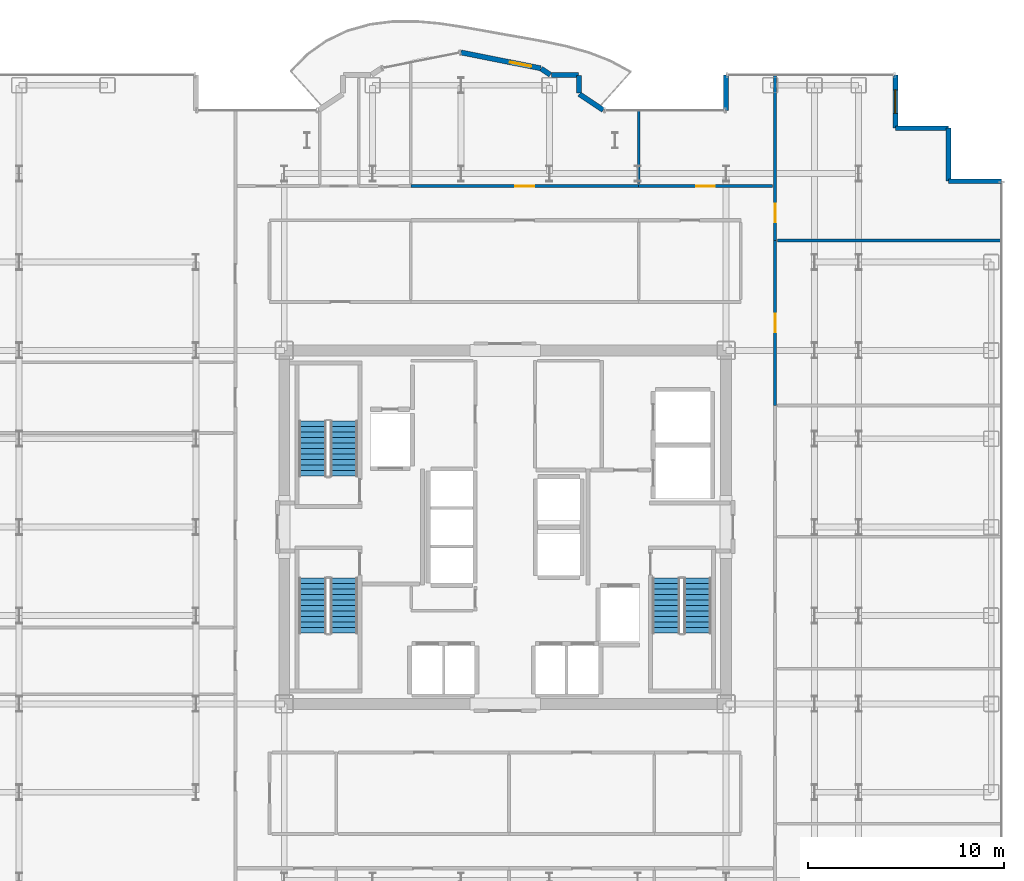
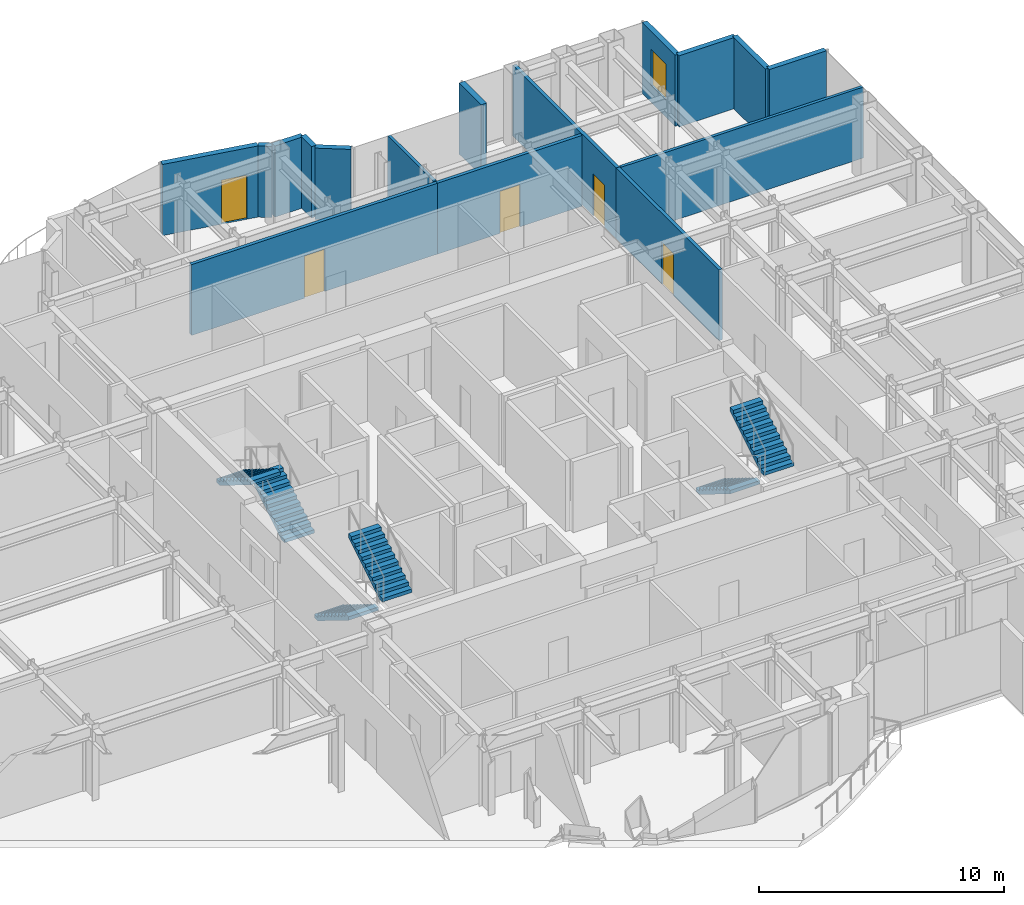
# One storey, part 20 of 23: 16 walls, 6 stair flights, 5 doors, 1 window, 6 openings, 3 elements without a shape of their own.
"""IFC4 building model written with IfcOpenShell, lengths in metres."""

from ifc_helpers import new_model, si_unit, direction, frame, frame_2d, origin, place, context, subcontext, project, spatial, polyline, rectangle, outline, extrude, source, transform, mapped, material, layer, layer_set, type_object, element, fill, aggregate, save


model = new_model("IFC4")

# Units and contexts
model_context = context("Model", 3, precision=1e-05, world=origin(), true_north=direction((0.0, 1.0)))
body_context = subcontext(model_context, "Body", "Model", "MODEL_VIEW")
ifc_project = project(units=[si_unit("LENGTHUNIT", "METRE"), si_unit("AREAUNIT", "SQUARE_METRE"), si_unit("VOLUMEUNIT", "CUBIC_METRE"), si_unit("PLANEANGLEUNIT", "RADIAN"), si_unit("MASSUNIT", "GRAM", prefix="KILO")], contexts=[model_context])

# Site, building, storey
site_placement = place(None, origin())
site = spatial("IfcSite", under=ifc_project, at=site_placement, CompositionType="ELEMENT")
building_placement = place(site_placement, origin())
building = spatial("IfcBuilding", under=site, at=building_placement, Name="Nefas-Gora Pilgrimage Tower", CompositionType="ELEMENT")
storey_placement = place(building_placement, frame((0.0, 0.0, 164.0)))
storey = spatial("IfcBuildingStorey", under=building, at=storey_placement, Name="L40", CompositionType="ELEMENT", Elevation=164.0)

# Walls
ifc_material_1 = material(Name="Precast concrete C40/50", Category="concrete")
ifc_layer_1 = layer(ifc_material_1, 0.260009765625)
ifc_layer_set_1 = layer_set([ifc_layer_1], Name="Precast concrete C40/50")
wall_type_1 = type_object("IfcWallType", Name="EW-PORTAL-260", PredefinedType="SOLIDWALL", material=ifc_layer_set_1)
shared_shape_1 = source(origin(), body_context, "Body", "SweptSolid", [
    extrude(rectangle(XDim=1.800048828125, YDim=0.260009765625, at=frame_2d((0.89990234375, 0.0))), origin(), (0.0, 0.0, 1.0), 3.550048828125),
])
wall_1_placement = place(storey_placement, frame((11.25, 23.02001953125, 0.0), z_axis=(0.0, 0.0, 1.0), x_axis=(0.0, -1.0, 0.0)))
element("IfcWall", 1, at=wall_1_placement, inside=storey, type_object=wall_type_1, Name="L40 Lobe Shoulder Precast Spandrel Pier 10", PredefinedType="SOLIDWALL", context=body_context, shape_type="MappedRepresentation", body=[
    mapped(shared_shape_1, transform((0.0, 0.0, 0.0), x_axis=(1.0, 0.0, 0.0), y_axis=(0.0, 1.0, 0.0), z_axis=(0.0, 0.0, 1.0), scale=1.0)),
])
ifc_material_2 = material(Name="Precast concrete C45/55", Category="concrete")
ifc_layer_2 = layer(ifc_material_2, 0.239990234375)
ifc_layer_set_2 = layer_set([ifc_layer_2], Name="Precast concrete C45/55")
wall_type_2 = type_object("IfcWallType", Name="EW-SERR-240", PredefinedType="SHEAR", material=ifc_layer_set_2)
shared_shape_2 = source(origin(), body_context, "Body", "SweptSolid", [
    extrude(rectangle(XDim=2.699951171875, YDim=0.239990234375, at=frame_2d((1.35009765625, 0.0))), origin(), (0.0, 0.0, 1.0), 3.550048828125),
])
for number, where, z_axis, x_axis, name in (
    (2, (25.27001953125, 17.6201171875, 0.0), (0.0, 0.0, 1.0), (-1.0, 0.0, 0.0), "L40 Serrated Corner Shear Pier Wall 6"),
    (3, (22.570068359375, 17.6201171875, 0.0), (0.0, 0.0, 1.0), (0.0, 1.0, 0.0), "L40 Serrated Corner Shear Pier Wall 7"),
    (4, (22.570068359375, 20.320068359375, 0.0), (0.0, 0.0, 1.0), (-1.0, 0.0, 0.0), "L40 Serrated Corner Shear Pier Wall 8"),
):
    element("IfcWall", number, at=place(storey_placement, frame(where, z_axis=z_axis, x_axis=x_axis)), inside=storey, type_object=wall_type_2, Name=name, PredefinedType="SHEAR", context=body_context, shape_type="MappedRepresentation", body=[
        mapped(shared_shape_2, transform((0.0, 0.0, 0.0), x_axis=(1.0, 0.0, 0.0), y_axis=(0.0, 1.0, 0.0), z_axis=(0.0, 0.0, 1.0), scale=1.0)),
    ])

# Wall, opening, window
wall_2_placement = place(storey_placement, frame((19.8701171875, 20.320068359375, 0.0), z_axis=(0.0, 0.0, 1.0), x_axis=(0.0, 1.0, 0.0)))
wall_2 = element("IfcWall", 5, at=wall_2_placement, inside=storey, type_object=wall_type_2, Name="L40 Serrated Corner Shear Pier Wall 9", PredefinedType="SHEAR", context=body_context, shape_type="MappedRepresentation", body=[
    mapped(shared_shape_2, transform((0.0, 0.0, 0.0), x_axis=(1.0, 0.0, 0.0), y_axis=(0.0, 1.0, 0.0), z_axis=(0.0, 0.0, 1.0), scale=1.0)),
])
opening_1_placement = place(wall_2_placement, frame((0.75, 0.0, 0.85009765625)))
opening_1 = element("IfcOpeningElement", 6, at=opening_1_placement, cuts=wall_2, Name="Opening W-V1", PredefinedType="OPENING", context=body_context, shape_type="SweptSolid", body=[
    extrude(rectangle(XDim=1.199951171875, YDim=1.800048828125, at=frame_2d((0.60009765625, 0.89990234375))), frame((0.0, 0.1298828125, 0.0), z_axis=(0.0, -1.0, 0.0), x_axis=(1.0, 0.0, 0.0)), (0.0, 0.0, 1.0), 0.260009765625),
])
ifc_material_3 = material(Name="Dark ceramic-fritted operable aluminium-glass window", Category="aluminium")
window_type = type_object("IfcWindowType", Name="WIN-VENT-1200x1800", PartitioningType="SINGLE_PANEL", PredefinedType="WINDOW", material=ifc_material_3)
shared_shape_3 = source(origin(), body_context, "Body", "SweptSolid", [
    extrude(rectangle(XDim=1.199951171875, YDim=1.800048828125, at=frame_2d((0.60009765625, 0.89990234375))), frame((0.0, 0.030029296875, 0.0), z_axis=(0.0, -1.0, 0.0), x_axis=(1.0, 0.0, 0.0)), (0.0, 0.0, 1.0), 0.06005859375),
])
window_placement = place(opening_1_placement, origin())
window = element("IfcWindow", 7, at=window_placement, inside=storey, type_object=window_type, Name="L40 Operable Parallel-Outswing Window 9", OverallHeight=1.800048828125, OverallWidth=1.199951171875, PartitioningType="SINGLE_PANEL", PredefinedType="WINDOW", context=body_context, shape_type="MappedRepresentation", body=[
    mapped(shared_shape_3, transform((0.0, 0.0, 0.0), x_axis=(1.0, 0.0, 0.0), y_axis=(0.0, 1.0, 0.0), z_axis=(0.0, 0.0, 1.0), scale=1.0)),
])
fill(opening_1, window)

# Walls
shared_shape_4 = source(origin(), body_context, "Body", "SweptSolid", [
    extrude(rectangle(XDim=1.468994140625, YDim=0.260009765625, at=frame_2d((0.734375, 0.0))), origin(), (0.0, 0.0, 1.0), 3.550048828125),
])
wall_3_placement = place(storey_placement, frame((4.99462890625, 21.235595703125, 0.0), z_axis=(0.0, 0.0, 1.0), x_axis=(-0.831461760506, 0.555581983884, 0.0)))
element("IfcWall", 8, at=wall_3_placement, inside=storey, type_object=wall_type_1, Name="L40 Lobe Shoulder Precast Spandrel Pier 11", PredefinedType="SOLIDWALL", context=body_context, shape_type="MappedRepresentation", body=[
    mapped(shared_shape_4, transform((0.0, 0.0, 0.0), x_axis=(1.0, 0.0, 0.0), y_axis=(0.0, 1.0, 0.0), z_axis=(0.0, 0.0, 1.0), scale=1.0)),
])
shared_shape_5 = source(origin(), body_context, "Body", "SweptSolid", [
    extrude(rectangle(XDim=0.896728515625, YDim=0.260009765625, at=frame_2d((0.4482421875, 0.0))), origin(), (0.0, 0.0, 1.0), 3.550048828125),
])
wall_4_placement = place(storey_placement, frame((3.75, 22.09521484375, 0.0), z_axis=(0.0, 0.0, 1.0), x_axis=(0.0, 1.0, 0.0)))
element("IfcWall", 9, at=wall_4_placement, inside=storey, type_object=wall_type_1, Name="L40 Lobe Shoulder Precast Spandrel Pier 12", PredefinedType="SOLIDWALL", context=body_context, shape_type="MappedRepresentation", body=[
    mapped(shared_shape_5, transform((0.0, 0.0, 0.0), x_axis=(1.0, 0.0, 0.0), y_axis=(0.0, 1.0, 0.0), z_axis=(0.0, 0.0, 1.0), scale=1.0)),
])
shared_shape_6 = source(origin(), body_context, "Body", "SweptSolid", [
    extrude(rectangle(XDim=1.369873046875, YDim=0.260009765625, at=frame_2d((0.68505859375, 0.0))), origin(), (0.0, 0.0, 1.0), 3.550048828125),
])
wall_5_placement = place(storey_placement, frame((3.721923828125, 23.02001953125, 0.0), z_axis=(0.0, 0.0, 1.0), x_axis=(-1.0, 0.0, 0.0)))
element("IfcWall", 10, at=wall_5_placement, inside=storey, type_object=wall_type_1, Name="L40 Lobe Shoulder Precast Spandrel Pier 13", PredefinedType="SOLIDWALL", context=body_context, shape_type="MappedRepresentation", body=[
    mapped(shared_shape_6, transform((0.0, 0.0, 0.0), x_axis=(1.0, 0.0, 0.0), y_axis=(0.0, 1.0, 0.0), z_axis=(0.0, 0.0, 1.0), scale=1.0)),
])
shared_shape_7 = source(origin(), body_context, "Body", "SweptSolid", [
    extrude(rectangle(XDim=0.5654296875, YDim=0.260009765625, at=frame_2d((0.28271484375, 0.0))), origin(), (0.0, 0.0, 1.0), 3.550048828125),
])
wall_6_placement = place(storey_placement, frame((2.30078125, 23.03564453125, 0.0), z_axis=(0.0, 0.0, 1.0), x_axis=(-0.831651492666, 0.555297933317, 0.0)))
element("IfcWall", 11, at=wall_6_placement, inside=storey, type_object=wall_type_1, Name="L40 Lobe Shoulder Precast Spandrel Pier 14", PredefinedType="SOLIDWALL", context=body_context, shape_type="MappedRepresentation", body=[
    mapped(shared_shape_7, transform((0.0, 0.0, 0.0), x_axis=(1.0, 0.0, 0.0), y_axis=(0.0, 1.0, 0.0), z_axis=(0.0, 0.0, 1.0), scale=1.0)),
])

# Wall, opening, door
shared_shape_8 = source(origin(), body_context, "Body", "SweptSolid", [
    extrude(rectangle(XDim=4.136962890625, YDim=0.260009765625, at=frame_2d((2.068359375, 0.0))), origin(), (0.0, 0.0, 1.0), 3.550048828125),
])
wall_7_placement = place(storey_placement, frame((1.807373046875, 23.365234375, 0.0), z_axis=(0.0, 0.0, 1.0), x_axis=(-0.980782170794, 0.195105954428, 0.0)))
wall_7 = element("IfcWall", 12, at=wall_7_placement, inside=storey, type_object=wall_type_1, Name="L40 Insulated Terrace Portal Wall 15", PredefinedType="SOLIDWALL", context=body_context, shape_type="MappedRepresentation", body=[
    mapped(shared_shape_8, transform((0.0, 0.0, 0.0), x_axis=(1.0, 0.0, 0.0), y_axis=(0.0, 1.0, 0.0), z_axis=(0.0, 0.0, 1.0), scale=1.0)),
])
opening_2_placement = place(wall_7_placement, frame((0.48779296875, 0.0, 0.0)))
opening_2 = element("IfcOpeningElement", 13, at=opening_2_placement, cuts=wall_7, Name="Opening ED-B1", PredefinedType="OPENING", context=body_context, shape_type="SweptSolid", body=[
    extrude(rectangle(XDim=1.10009765625, YDim=2.199951171875, at=frame_2d((0.550048828125, 1.10009765625))), frame((0.0, 0.139892578125, 0.0), z_axis=(0.0, -1.0, 0.0), x_axis=(1.0, 0.0, 0.0)), (0.0, 0.0, 1.0), 0.280029296875),
])
ifc_material_4 = material(Name="Thermally broken glazed aluminium balcony door", Category="aluminium")
door_type_1 = type_object("IfcDoorType", Name="DR-EXT-BAL-1100", OperationType="NOTDEFINED", PredefinedType="DOOR", material=ifc_material_4)
shared_shape_9 = source(origin(), body_context, "Body", "SweptSolid", [
    extrude(rectangle(XDim=1.10009765625, YDim=2.199951171875, at=frame_2d((0.550048828125, 1.10009765625))), frame((0.0, 0.02490234375, 0.0), z_axis=(0.0, -1.0, 0.0), x_axis=(1.0, 0.0, 0.0)), (0.0, 0.0, 1.0), 0.050048828125),
])
door_1_placement = place(opening_2_placement, origin())
door_1 = element("IfcDoor", 14, at=door_1_placement, inside=storey, type_object=door_type_1, Name="L40 Exterior Door (L40 N Lobe Wave Balcony)", OperationType="SINGLE_SWING_RIGHT", OverallHeight=2.199951171875, OverallWidth=1.10009765625, PredefinedType="DOOR", context=body_context, shape_type="MappedRepresentation", body=[
    mapped(shared_shape_9, transform((0.0, 0.0, 0.0), x_axis=(1.0, 0.0, 0.0), y_axis=(0.0, 1.0, 0.0), z_axis=(0.0, 0.0, 1.0), scale=1.0)),
])
fill(opening_2, door_1)

ifc_material_5 = material(Name="Gypsum acoustic stud partition")
ifc_layer_3 = layer(ifc_material_5, 0.159912109375)
ifc_layer_set_3 = layer_set([ifc_layer_3], Name="Gypsum acoustic stud partition")
wall_type_3 = type_object("IfcWallType", Name="IW-CORR-160", PredefinedType="PARTITIONING", material=ifc_layer_set_3)
shared_shape_10 = source(origin(), body_context, "Body", "SweptSolid", [
    extrude(rectangle(XDim=6.8251953125, YDim=0.159912109375, at=frame_2d((3.41259765625, 0.0))), origin(), (0.0, 0.0, 1.0), 3.534912109375),
])
wall_8_placement = place(storey_placement, frame((6.794921875, 17.3701171875, 0.0), z_axis=(0.0, 0.0, 1.0), x_axis=(1.0, 0.0, 0.0)))
wall_8 = element("IfcWall", 15, at=wall_8_placement, inside=storey, type_object=wall_type_3, Name="L40 Pilgrim Contemplative Lounge Partition Wall 60", PredefinedType="PARTITIONING", context=body_context, shape_type="MappedRepresentation", body=[
    mapped(shared_shape_10, transform((0.0, 0.0, 0.0), x_axis=(1.0, 0.0, 0.0), y_axis=(0.0, 1.0, 0.0), z_axis=(0.0, 0.0, 1.0), scale=1.0)),
])
opening_3_placement = place(wall_8_placement, frame((2.9375, 0.0, 0.0)))
opening_3 = element("IfcOpeningElement", 16, at=opening_3_placement, cuts=wall_8, Name="Opening ID-GR1", PredefinedType="OPENING", context=body_context, shape_type="SweptSolid", body=[
    extrude(rectangle(XDim=0.949951171875, YDim=2.10009765625, at=frame_2d((0.47509765625, 1.050048828125))), frame((0.0, 0.08984375, 0.0), z_axis=(0.0, -1.0, 0.0), x_axis=(1.0, 0.0, 0.0)), (0.0, 0.0, 1.0), 0.179931640625),
])
ifc_material_6 = material(Name="Solid core oak fire-rated guest entrance door")
door_type_2 = type_object("IfcDoorType", Name="DR-INT-GUEST-950", OperationType="NOTDEFINED", PredefinedType="DOOR", material=ifc_material_6)
shared_shape_11 = source(origin(), body_context, "Body", "SweptSolid", [
    extrude(rectangle(XDim=0.949951171875, YDim=2.10009765625, at=frame_2d((0.47509765625, 1.050048828125))), frame((0.0, 0.02490234375, 0.0), z_axis=(0.0, -1.0, 0.0), x_axis=(1.0, 0.0, 0.0)), (0.0, 0.0, 1.0), 0.050048828125),
])
door_2_placement = place(opening_3_placement, origin())
door_2 = element("IfcDoor", 17, at=door_2_placement, inside=storey, type_object=door_type_2, Name="L40 Pilgrim Contemplative Lounge Door 27", OperationType="SINGLE_SWING_RIGHT", OverallHeight=2.10009765625, OverallWidth=0.949951171875, PredefinedType="DOOR", context=body_context, shape_type="MappedRepresentation", body=[
    mapped(shared_shape_11, transform((0.0, 0.0, 0.0), x_axis=(1.0, 0.0, 0.0), y_axis=(0.0, 1.0, 0.0), z_axis=(0.0, 0.0, 1.0), scale=1.0)),
])
fill(opening_3, door_2)

# Walls
ifc_material_7 = material(Name="Gypsum twin-stud partition")
ifc_layer_4 = layer(ifc_material_7, 0.139892578125)
ifc_layer_set_4 = layer_set([ifc_layer_4], Name="Gypsum twin-stud partition")
wall_type_4 = type_object("IfcWallType", Name="IW-UNIT-140", PredefinedType="PARTITIONING", material=ifc_layer_set_4)
shared_shape_12 = source(origin(), body_context, "Body", "SweptSolid", [
    extrude(rectangle(XDim=11.429931640625, YDim=0.139892578125, at=frame_2d((5.71484375, 0.0))), origin(), (0.0, 0.0, 1.0), 3.534912109375),
])
wall_9_placement = place(storey_placement, frame((13.860107421875, 14.597412109375, 0.0), z_axis=(0.0, 0.0, 1.0), x_axis=(1.0, 0.0, 0.0)))
element("IfcWall", 18, at=wall_9_placement, inside=storey, type_object=wall_type_4, Name="L40 Pilgrim Contemplative Lounge Partition Wall 46", PredefinedType="PARTITIONING", context=body_context, shape_type="MappedRepresentation", body=[
    mapped(shared_shape_12, transform((0.0, 0.0, 0.0), x_axis=(1.0, 0.0, 0.0), y_axis=(0.0, 1.0, 0.0), z_axis=(0.0, 0.0, 1.0), scale=1.0)),
])
shared_shape_13 = source(origin(), body_context, "Body", "SweptSolid", [
    extrude(rectangle(XDim=3.75, YDim=0.139892578125, at=frame_2d((1.875, 0.0))), origin(), (0.0, 0.0, 1.0), 3.534912109375),
])
wall_10_placement = place(storey_placement, frame((6.794921875, 17.489990234375, 0.0), z_axis=(0.0, 0.0, 1.0), x_axis=(0.0, 1.0, 0.0)))
element("IfcWall", 19, at=wall_10_placement, inside=storey, type_object=wall_type_4, Name="L40 Pilgrim Contemplative Lounge Partition Wall 56", PredefinedType="PARTITIONING", context=body_context, shape_type="MappedRepresentation", body=[
    mapped(shared_shape_13, transform((0.0, 0.0, 0.0), x_axis=(1.0, 0.0, 0.0), y_axis=(0.0, 1.0, 0.0), z_axis=(0.0, 0.0, 1.0), scale=1.0)),
])

# Wall, opening, door
shared_shape_14 = source(origin(), body_context, "Body", "SweptSolid", [
    extrude(rectangle(XDim=8.45263671875, YDim=0.159912109375, at=frame_2d((4.226318359375, 0.0))), origin(), (0.0, 0.0, 1.0), 3.534912109375),
])
wall_11_placement = place(storey_placement, frame((13.739990234375, 14.58740234375, 0.0), z_axis=(0.0, 0.0, 1.0), x_axis=(0.0, 1.0, 0.0)))
wall_11 = element("IfcWall", 20, at=wall_11_placement, inside=storey, type_object=wall_type_3, Name="L40 Pilgrim Contemplative Lounge Partition Wall 45", PredefinedType="PARTITIONING", context=body_context, shape_type="MappedRepresentation", body=[
    mapped(shared_shape_14, transform((0.0, 0.0, 0.0), x_axis=(1.0, 0.0, 0.0), y_axis=(0.0, 1.0, 0.0), z_axis=(0.0, 0.0, 1.0), scale=1.0)),
])
opening_4_placement = place(wall_11_placement, frame((0.936279296875, 0.0, 0.0)))
opening_4 = element("IfcOpeningElement", 21, at=opening_4_placement, cuts=wall_11, Name="Opening ID-GR1", PredefinedType="OPENING", context=body_context, shape_type="SweptSolid", body=[
    extrude(rectangle(XDim=0.949951171875, YDim=2.10009765625, at=frame_2d((0.47509765625, 1.050048828125))), frame((0.0, 0.08984375, 0.0), z_axis=(0.0, -1.0, 0.0), x_axis=(1.0, 0.0, 0.0)), (0.0, 0.0, 1.0), 0.179931640625),
])
door_3_placement = place(opening_4_placement, origin())
door_3 = element("IfcDoor", 22, at=door_3_placement, inside=storey, type_object=door_type_2, Name="L40 Pilgrim Contemplative Lounge Door 20", OperationType="SINGLE_SWING_LEFT", OverallHeight=2.10009765625, OverallWidth=0.949951171875, PredefinedType="DOOR", context=body_context, shape_type="MappedRepresentation", body=[
    mapped(shared_shape_11, transform((0.0, 0.0, 0.0), x_axis=(1.0, 0.0, 0.0), y_axis=(0.0, 1.0, 0.0), z_axis=(0.0, 0.0, 1.0), scale=1.0)),
])
fill(opening_4, door_3)

shared_shape_15 = source(origin(), body_context, "Body", "SweptSolid", [
    extrude(rectangle(XDim=8.392333984375, YDim=0.159912109375, at=frame_2d((4.1962890625, 0.0))), origin(), (0.0, 0.0, 1.0), 3.534912109375),
])
wall_12_placement = place(storey_placement, frame((13.739990234375, 6.195068359375, 0.0), z_axis=(0.0, 0.0, 1.0), x_axis=(0.0, 1.0, 0.0)))
wall_12 = element("IfcWall", 23, at=wall_12_placement, inside=storey, type_object=wall_type_3, Name="L40 Pilgrim Contemplative Lounge Partition Wall 47", PredefinedType="PARTITIONING", context=body_context, shape_type="MappedRepresentation", body=[
    mapped(shared_shape_15, transform((0.0, 0.0, 0.0), x_axis=(1.0, 0.0, 0.0), y_axis=(0.0, 1.0, 0.0), z_axis=(0.0, 0.0, 1.0), scale=1.0)),
])
opening_5_placement = place(wall_12_placement, frame((3.72119140625, 0.0, 0.0)))
opening_5 = element("IfcOpeningElement", 24, at=opening_5_placement, cuts=wall_12, Name="Opening ID-GR1", PredefinedType="OPENING", context=body_context, shape_type="SweptSolid", body=[
    extrude(rectangle(XDim=0.949951171875, YDim=2.10009765625, at=frame_2d((0.47509765625, 1.050048828125))), frame((0.0, 0.08984375, 0.0), z_axis=(0.0, -1.0, 0.0), x_axis=(1.0, 0.0, 0.0)), (0.0, 0.0, 1.0), 0.179931640625),
])
door_4_placement = place(opening_5_placement, origin())
door_4 = element("IfcDoor", 25, at=door_4_placement, inside=storey, type_object=door_type_2, Name="L40 Pilgrim Contemplative Lounge Door 21", OperationType="SINGLE_SWING_RIGHT", OverallHeight=2.10009765625, OverallWidth=0.949951171875, PredefinedType="DOOR", context=body_context, shape_type="MappedRepresentation", body=[
    mapped(shared_shape_11, transform((0.0, 0.0, 0.0), x_axis=(1.0, 0.0, 0.0), y_axis=(0.0, 1.0, 0.0), z_axis=(0.0, 0.0, 1.0), scale=1.0)),
])
fill(opening_5, door_4)

shared_shape_16 = source(origin(), body_context, "Body", "SweptSolid", [
    extrude(rectangle(XDim=11.60986328125, YDim=0.159912109375, at=frame_2d((5.804931640625, 0.0))), origin(), (0.0, 0.0, 1.0), 3.534912109375),
])
wall_13_placement = place(storey_placement, frame((-4.804931640625, 17.3701171875, 0.0), z_axis=(0.0, 0.0, 1.0), x_axis=(1.0, 0.0, 0.0)))
wall_13 = element("IfcWall", 26, at=wall_13_placement, inside=storey, type_object=wall_type_3, Name="L40 Pilgrim Contemplative Lounge Partition Wall 55", PredefinedType="PARTITIONING", context=body_context, shape_type="MappedRepresentation", body=[
    mapped(shared_shape_16, transform((0.0, 0.0, 0.0), x_axis=(1.0, 0.0, 0.0), y_axis=(0.0, 1.0, 0.0), z_axis=(0.0, 0.0, 1.0), scale=1.0)),
])
opening_6_placement = place(wall_13_placement, frame((5.330078125, 0.0, 0.0)))
opening_6 = element("IfcOpeningElement", 27, at=opening_6_placement, cuts=wall_13, Name="Opening ID-GR1", PredefinedType="OPENING", context=body_context, shape_type="SweptSolid", body=[
    extrude(rectangle(XDim=0.949951171875, YDim=2.10009765625, at=frame_2d((0.47509765625, 1.050048828125))), frame((0.0, 0.08984375, 0.0), z_axis=(0.0, -1.0, 0.0), x_axis=(1.0, 0.0, 0.0)), (0.0, 0.0, 1.0), 0.179931640625),
])
door_5_placement = place(opening_6_placement, origin())
door_5 = element("IfcDoor", 28, at=door_5_placement, inside=storey, type_object=door_type_2, Name="L40 Pilgrim Contemplative Lounge Door 25", OperationType="SINGLE_SWING_RIGHT", OverallHeight=2.10009765625, OverallWidth=0.949951171875, PredefinedType="DOOR", context=body_context, shape_type="MappedRepresentation", body=[
    mapped(shared_shape_11, transform((0.0, 0.0, 0.0), x_axis=(1.0, 0.0, 0.0), y_axis=(0.0, 1.0, 0.0), z_axis=(0.0, 0.0, 1.0), scale=1.0)),
])
fill(opening_6, door_5)

# Stair, stair flights
ifc_material_8 = material(Name="Concrete C45/55", Category="concrete")
stair_type = type_object("IfcStairType", Name="STR-1400-R1727", PredefinedType="HALF_TURN_STAIR", material=ifc_material_8)
stair_1_placement = place(storey_placement, origin())
stair_1 = element("IfcStair", 29, at=stair_1_placement, inside=storey, type_object=stair_type, Name="L40 Pressurised Tower Exit Stair ST-01", PredefinedType="HALF_TURN_STAIR")
stair_flight_type = type_object("IfcStairFlightType", Name="STF-1400-R1727", PredefinedType="STRAIGHT", material=ifc_material_8)
shared_shape_17 = source(origin(), body_context, "Body", "SweptSolid", [
    extrude(outline(polyline([(0.0, 0.0), (0.0, 0.172607421875), (0.280029296875, 0.172607421875), (0.280029296875, 0.345458984375), (0.56005859375, 0.345458984375), (0.56005859375, 0.51806640625), (0.840087890625, 0.51806640625), (0.840087890625, 0.69091796875), (1.1201171875, 0.69091796875), (1.1201171875, 0.863525390625), (1.39990234375, 0.863525390625), (1.39990234375, 1.036376953125), (1.679931640625, 1.036376953125), (1.679931640625, 1.208984375), (1.9599609375, 1.208984375), (1.9599609375, 1.3818359375), (2.239990234375, 1.3818359375), (2.239990234375, 1.554443359375), (2.52001953125, 1.554443359375), (2.52001953125, 1.727294921875), (2.800048828125, 1.727294921875), (2.800048828125, 1.89990234375), (2.800048828125, 1.551025390625), (0.285400390625, 0.0), (0.0, 0.0)])), frame((0.0, 0.699951171875, 0.0), z_axis=(0.0, -1.0, 0.0), x_axis=(1.0, 0.0, 0.0)), (0.0, 0.0, 1.0), 1.39990234375),
])
stair_flight_1_placement = place(storey_placement, frame((-8.199951171875, 2.60009765625, 0.0), z_axis=(0.0, 0.0, 1.0), x_axis=(0.0, 1.0, 0.0)))
stair_flight_1 = element("IfcStairFlight", 30, at=stair_flight_1_placement, type_object=stair_flight_type, Name="ST-01 flight 1", NumberOfRisers=11, NumberOfTreads=10, PredefinedType="STRAIGHT", RiserHeight=0.172727273, TreadLength=0.28, context=body_context, shape_type="MappedRepresentation", body=[
    mapped(shared_shape_17, transform((0.0, 0.0, 0.0), x_axis=(1.0, 0.0, 0.0), y_axis=(0.0, 1.0, 0.0), z_axis=(0.0, 0.0, 1.0), scale=1.0)),
])
stair_flight_2_placement = place(storey_placement, frame((-9.800048828125, 5.39990234375, 1.89990234375), z_axis=(0.0, 0.0, 1.0), x_axis=(0.0, -1.0, 0.0)))
stair_flight_2 = element("IfcStairFlight", 31, at=stair_flight_2_placement, type_object=stair_flight_type, Name="ST-01 flight 2", NumberOfRisers=11, NumberOfTreads=10, PredefinedType="STRAIGHT", RiserHeight=0.172727273, TreadLength=0.28, context=body_context, shape_type="MappedRepresentation", body=[
    mapped(shared_shape_17, transform((0.0, 0.0, 0.0), x_axis=(1.0, 0.0, 0.0), y_axis=(0.0, 1.0, 0.0), z_axis=(0.0, 0.0, 1.0), scale=1.0)),
])
aggregate(stair_1, [stair_flight_1, stair_flight_2])

stair_2_placement = place(storey_placement, origin())
stair_2 = element("IfcStair", 32, at=stair_2_placement, inside=storey, type_object=stair_type, Name="L40 Pressurised Tower Exit Stair ST-02", PredefinedType="HALF_TURN_STAIR")
stair_flight_3_placement = place(storey_placement, frame((8.199951171875, -2.60009765625, 0.0), z_axis=(0.0, 0.0, 1.0), x_axis=(0.0, -1.0, 0.0)))
stair_flight_3 = element("IfcStairFlight", 33, at=stair_flight_3_placement, type_object=stair_flight_type, Name="ST-02 flight 1", NumberOfRisers=11, NumberOfTreads=10, PredefinedType="STRAIGHT", RiserHeight=0.172727273, TreadLength=0.28, context=body_context, shape_type="MappedRepresentation", body=[
    mapped(shared_shape_17, transform((0.0, 0.0, 0.0), x_axis=(1.0, 0.0, 0.0), y_axis=(0.0, 1.0, 0.0), z_axis=(0.0, 0.0, 1.0), scale=1.0)),
])
stair_flight_4_placement = place(storey_placement, frame((9.800048828125, -5.39990234375, 1.89990234375), z_axis=(0.0, 0.0, 1.0), x_axis=(0.0, 1.0, 0.0)))
stair_flight_4 = element("IfcStairFlight", 34, at=stair_flight_4_placement, type_object=stair_flight_type, Name="ST-02 flight 2", NumberOfRisers=11, NumberOfTreads=10, PredefinedType="STRAIGHT", RiserHeight=0.172727273, TreadLength=0.28, context=body_context, shape_type="MappedRepresentation", body=[
    mapped(shared_shape_17, transform((0.0, 0.0, 0.0), x_axis=(1.0, 0.0, 0.0), y_axis=(0.0, 1.0, 0.0), z_axis=(0.0, 0.0, 1.0), scale=1.0)),
])
aggregate(stair_2, [stair_flight_3, stair_flight_4])

stair_3_placement = place(storey_placement, origin())
stair_3 = element("IfcStair", 35, at=stair_3_placement, inside=storey, type_object=stair_type, Name="L40 Pressurised Tower Exit Stair ST-03", PredefinedType="HALF_TURN_STAIR")
stair_flight_5_placement = place(storey_placement, frame((-9.800048828125, -2.60009765625, 0.0), z_axis=(0.0, 0.0, 1.0), x_axis=(0.0, -1.0, 0.0)))
stair_flight_5 = element("IfcStairFlight", 36, at=stair_flight_5_placement, type_object=stair_flight_type, Name="ST-03 flight 1", NumberOfRisers=11, NumberOfTreads=10, PredefinedType="STRAIGHT", RiserHeight=0.172727273, TreadLength=0.28, context=body_context, shape_type="MappedRepresentation", body=[
    mapped(shared_shape_17, transform((0.0, 0.0, 0.0), x_axis=(1.0, 0.0, 0.0), y_axis=(0.0, 1.0, 0.0), z_axis=(0.0, 0.0, 1.0), scale=1.0)),
])
stair_flight_6_placement = place(storey_placement, frame((-8.199951171875, -5.39990234375, 1.89990234375), z_axis=(0.0, 0.0, 1.0), x_axis=(0.0, 1.0, 0.0)))
stair_flight_6 = element("IfcStairFlight", 37, at=stair_flight_6_placement, type_object=stair_flight_type, Name="ST-03 flight 2", NumberOfRisers=11, NumberOfTreads=10, PredefinedType="STRAIGHT", RiserHeight=0.172727273, TreadLength=0.28, context=body_context, shape_type="MappedRepresentation", body=[
    mapped(shared_shape_17, transform((0.0, 0.0, 0.0), x_axis=(1.0, 0.0, 0.0), y_axis=(0.0, 1.0, 0.0), z_axis=(0.0, 0.0, 1.0), scale=1.0)),
])
aggregate(stair_3, [stair_flight_5, stair_flight_6])

save(model, "model.ifc")
